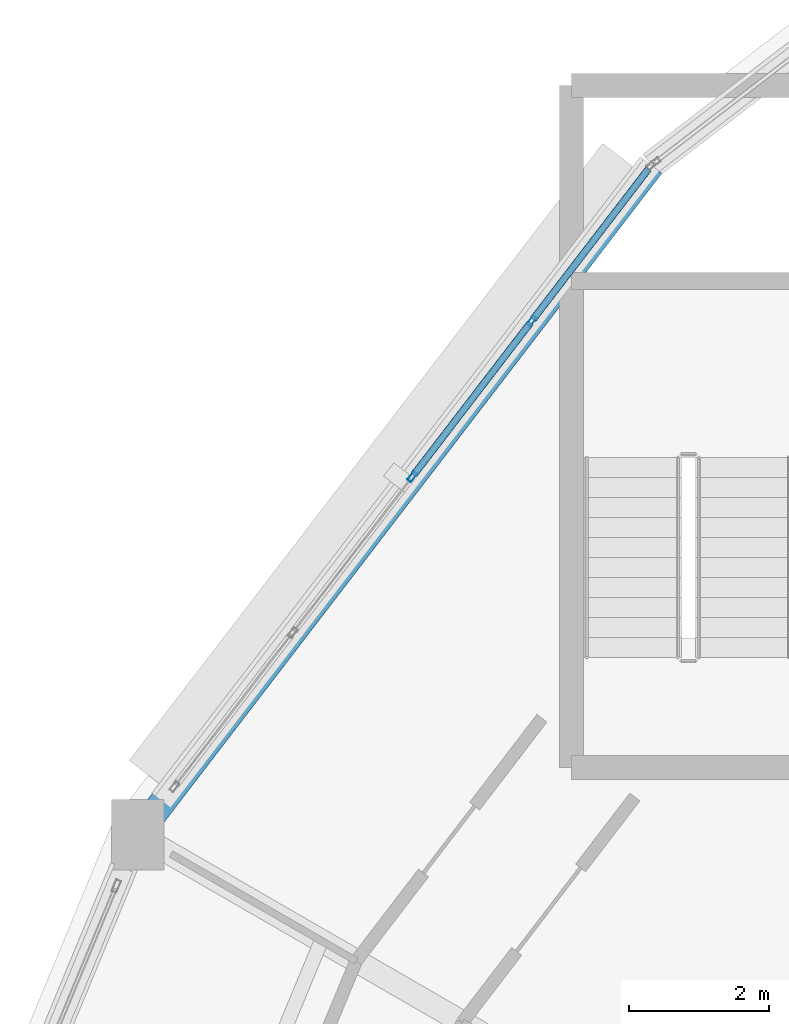
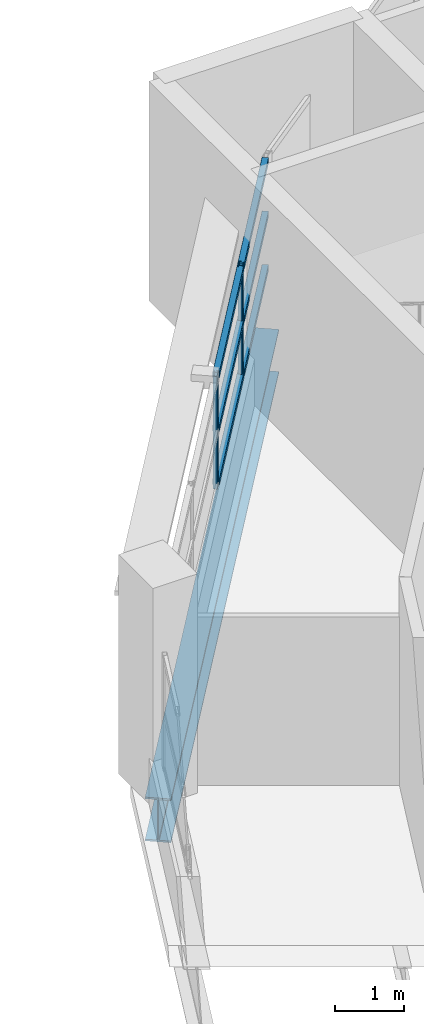
# One storey, part 24 of 53: 8 members, 1 beam, 1 element without a shape of its own.
"""IFC4 building model written with IfcOpenShell, lengths in metres."""

from ifc_helpers import new_model, si_unit, direction, frame, origin, origin_2d, place, context, subcontext, project, spatial, hollow_rectangle, i_section, extrude, material, layer, layer_set, material_profile, profile_set, type_object, element, aggregate, save


model = new_model("IFC4")

# Units and contexts
model_context = context("Model", 3, precision=1e-05, world=origin(), true_north=direction((0.0, 1.0)))
body_context = subcontext(model_context, "Body", "Model", "MODEL_VIEW")
ifc_project = project(units=[si_unit("LENGTHUNIT", "METRE"), si_unit("AREAUNIT", "SQUARE_METRE"), si_unit("VOLUMEUNIT", "CUBIC_METRE"), si_unit("PLANEANGLEUNIT", "RADIAN"), si_unit("MASSUNIT", "GRAM", prefix="KILO")], contexts=[model_context])

# Site, building, storey
site_placement = place(None, origin())
site = spatial("IfcSite", under=ifc_project, at=site_placement, CompositionType="ELEMENT")
building_placement = place(site_placement, origin())
building = spatial("IfcBuilding", under=site, at=building_placement, Name="Vespera Passage Community Centre", CompositionType="ELEMENT")
storey_placement = place(building_placement, frame((0.0, 0.0, 20.39990234375)))
storey = spatial("IfcBuildingStorey", under=building, at=storey_placement, Name="L05", CompositionType="ELEMENT", Elevation=20.39990234375)

# Beam
ifc_material_1 = material(Name="Steel ASTM A992 Grade 50", Category="steel")
ifc_material_profile_1 = material_profile(ifc_material_1, i_section(OverallWidth=0.382080078125, OverallDepth=0.779296875, WebThickness=0.01806640625, FlangeThickness=0.030029296875, FilletRadius=0.0166015625, at=origin_2d()), Name="W30X191")
ifc_profile_set_1 = profile_set([ifc_material_profile_1], Name="Steel ASTM A992 Grade 50")
beam_type = type_object("IfcBeamType", Name="BM-SP-W30X191E", PredefinedType="SPANDREL", material=ifc_profile_set_1)
beam_placement = place(storey_placement, frame((45.40234375, 98.09765625, -0.649658203125), z_axis=(-0.608763261066, -0.793351934501, 0.0), x_axis=(0.793351934501, -0.608763261066, 0.0)))
element("IfcBeam", 1, at=beam_placement, inside=storey, type_object=beam_type, Name="V4 L05 Outer Spandrel 9", PredefinedType="SPANDREL", context=body_context, shape_type="SweptSolid", body=[
    extrude(i_section(OverallWidth=0.382080078125, OverallDepth=0.779296875, WebThickness=0.01806640625, FlangeThickness=0.030029296875, FilletRadius=0.0166015625, at=origin_2d()), origin(), (0.0, 0.0, 1.0), 12.034423828125),
])

# Curtain wall, members
ifc_material_2 = material(Name="Anodized aluminium 6063-T6", Category="aluminium")
ifc_layer = layer(ifc_material_2, 0.159912109375)
ifc_layer_set = layer_set([ifc_layer], Name="Anodized aluminium 6063-T6")
curtain_wall_type = type_object("IfcCurtainWallType", Name="CW-62E", PredefinedType="NOTDEFINED", material=ifc_layer_set)
curtain_wall_placement = place(storey_placement, origin())
curtain_wall = element("IfcCurtainWall", 2, at=curtain_wall_placement, inside=storey, type_object=curtain_wall_type, Name="V4 L05 Outer Ribbon Curtain Wall 9", PredefinedType="NOTDEFINED")
ifc_material_3 = material(Name="Anodized aluminium 6063-T6", Category="aluminium")
ifc_material_profile_2 = material_profile(ifc_material_3, hollow_rectangle(XDim=0.06494140625, YDim=0.14990234375, WallThickness=0.00390625, InnerFilletRadius=0.001953125, OuterFilletRadius=0.00390625, at=origin_2d()), Name="ALU150X65X4")
ifc_profile_set_2 = profile_set([ifc_material_profile_2], Name="Anodized aluminium 6063-T6")
member_type_1 = type_object("IfcMemberType", Name="MB-CWM-150E", PredefinedType="MULLION", material=ifc_profile_set_2)
member_1_placement = place(storey_placement, frame((41.9921875, 93.653564453125, 0.820068359375), z_axis=(0.0, 0.0, 1.0), x_axis=(-0.793350429062, 0.608765222978, 0.0)))
member_1 = element("IfcMember", 3, at=member_1_placement, type_object=member_type_1, Name="CW-62E mullion 3", PredefinedType="MULLION", context=body_context, shape_type="SweptSolid", body=[
    extrude(hollow_rectangle(XDim=0.06494140625, YDim=0.14990234375, WallThickness=0.00390625, InnerFilletRadius=0.001953125, OuterFilletRadius=0.00390625, at=origin_2d()), origin(), (0.0, 0.0, 1.0), 2.005615234375),
])
member_2_placement = place(storey_placement, frame((43.697265625, 95.87548828125, 0.820068359375), z_axis=(0.0, 0.0, 1.0), x_axis=(-0.793350429062, 0.608765222978, 0.0)))
member_2 = element("IfcMember", 4, at=member_2_placement, type_object=member_type_1, Name="CW-62E mullion 4", PredefinedType="MULLION", context=body_context, shape_type="SweptSolid", body=[
    extrude(hollow_rectangle(XDim=0.06494140625, YDim=0.14990234375, WallThickness=0.00390625, InnerFilletRadius=0.001953125, OuterFilletRadius=0.00390625, at=origin_2d()), origin(), (0.0, 0.0, 1.0), 2.005615234375),
])
ifc_material_4 = material(Name="Anodized aluminium 6063-T6", Category="aluminium")
ifc_material_profile_3 = material_profile(ifc_material_4, hollow_rectangle(XDim=0.10009765625, YDim=0.10009765625, WallThickness=0.00390625, InnerFilletRadius=0.001953125, OuterFilletRadius=0.00390625, at=origin_2d()), Name="ALU100X100X4")
ifc_profile_set_3 = profile_set([ifc_material_profile_3], Name="Anodized aluminium 6063-T6")
member_type_2 = type_object("IfcMemberType", Name="MB-CWT-100E", PredefinedType="USERDEFINED", material=ifc_profile_set_3)
member_3_placement = place(storey_placement, frame((42.011962890625, 93.67919921875, 0.8701171875), z_axis=(0.608744341023, 0.793366452072, 0.0), x_axis=(-0.793366452072, 0.608744341023, 0.0)))
member_3 = element("IfcMember", 5, at=member_3_placement, type_object=member_type_2, Name="CW-62E transom 3.1", ObjectType="TRANSOM", PredefinedType="USERDEFINED", context=body_context, shape_type="SweptSolid", body=[
    extrude(hollow_rectangle(XDim=0.10009765625, YDim=0.10009765625, WallThickness=0.00390625, InnerFilletRadius=0.001953125, OuterFilletRadius=0.00390625, at=origin_2d()), origin(), (0.0, 0.0, 1.0), 2.736083984375),
])
member_4_placement = place(storey_placement, frame((42.011962890625, 93.67919921875, 1.822998046875), z_axis=(0.608744341023, 0.793366452072, 0.0), x_axis=(-0.793366452072, 0.608744341023, 0.0)))
member_4 = element("IfcMember", 6, at=member_4_placement, type_object=member_type_2, Name="CW-62E transom 3.2", ObjectType="TRANSOM", PredefinedType="USERDEFINED", context=body_context, shape_type="SweptSolid", body=[
    extrude(hollow_rectangle(XDim=0.10009765625, YDim=0.10009765625, WallThickness=0.00390625, InnerFilletRadius=0.001953125, OuterFilletRadius=0.00390625, at=origin_2d()), origin(), (0.0, 0.0, 1.0), 2.736083984375),
])
member_5_placement = place(storey_placement, frame((42.011962890625, 93.67919921875, 2.77587890625), z_axis=(0.608744341023, 0.793366452072, 0.0), x_axis=(-0.793366452072, 0.608744341023, 0.0)))
member_5 = element("IfcMember", 7, at=member_5_placement, type_object=member_type_2, Name="CW-62E transom 3.3", ObjectType="TRANSOM", PredefinedType="USERDEFINED", context=body_context, shape_type="SweptSolid", body=[
    extrude(hollow_rectangle(XDim=0.10009765625, YDim=0.10009765625, WallThickness=0.00390625, InnerFilletRadius=0.001953125, OuterFilletRadius=0.00390625, at=origin_2d()), origin(), (0.0, 0.0, 1.0), 2.736083984375),
])
member_6_placement = place(storey_placement, frame((43.717041015625, 95.9013671875, 0.8701171875), z_axis=(0.60876327124, 0.793351926694, 0.0), x_axis=(-0.793351926694, 0.60876327124, 0.0)))
member_6 = element("IfcMember", 8, at=member_6_placement, type_object=member_type_2, Name="CW-62E transom 4.1", ObjectType="TRANSOM", PredefinedType="USERDEFINED", context=body_context, shape_type="SweptSolid", body=[
    extrude(hollow_rectangle(XDim=0.10009765625, YDim=0.10009765625, WallThickness=0.00390625, InnerFilletRadius=0.001953125, OuterFilletRadius=0.00390625, at=origin_2d()), origin(), (0.0, 0.0, 1.0), 2.703369140625),
])
member_7_placement = place(storey_placement, frame((43.717041015625, 95.9013671875, 1.822998046875), z_axis=(0.60876327124, 0.793351926694, 0.0), x_axis=(-0.793351926694, 0.60876327124, 0.0)))
member_7 = element("IfcMember", 9, at=member_7_placement, type_object=member_type_2, Name="CW-62E transom 4.2", ObjectType="TRANSOM", PredefinedType="USERDEFINED", context=body_context, shape_type="SweptSolid", body=[
    extrude(hollow_rectangle(XDim=0.10009765625, YDim=0.10009765625, WallThickness=0.00390625, InnerFilletRadius=0.001953125, OuterFilletRadius=0.00390625, at=origin_2d()), origin(), (0.0, 0.0, 1.0), 2.703369140625),
])
member_8_placement = place(storey_placement, frame((43.717041015625, 95.9013671875, 2.77587890625), z_axis=(0.60876327124, 0.793351926694, 0.0), x_axis=(-0.793351926694, 0.60876327124, 0.0)))
member_8 = element("IfcMember", 10, at=member_8_placement, type_object=member_type_2, Name="CW-62E transom 4.3", ObjectType="TRANSOM", PredefinedType="USERDEFINED", context=body_context, shape_type="SweptSolid", body=[
    extrude(hollow_rectangle(XDim=0.10009765625, YDim=0.10009765625, WallThickness=0.00390625, InnerFilletRadius=0.001953125, OuterFilletRadius=0.00390625, at=origin_2d()), origin(), (0.0, 0.0, 1.0), 2.703369140625),
])
aggregate(curtain_wall, [member_1, member_2, member_3, member_4, member_5, member_6, member_7, member_8])

save(model, "model.ifc")
